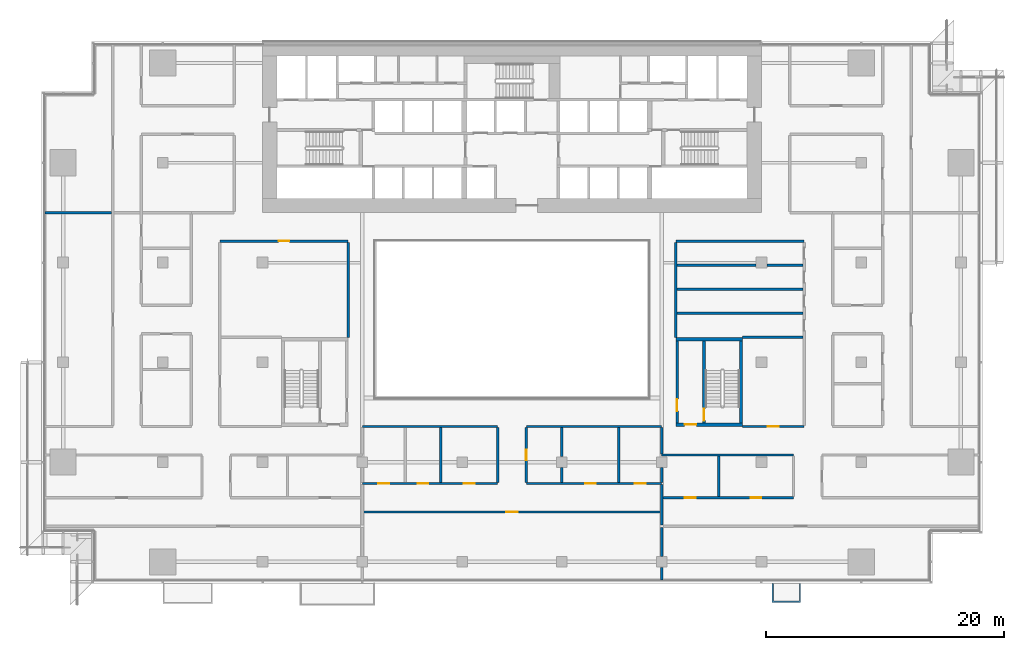
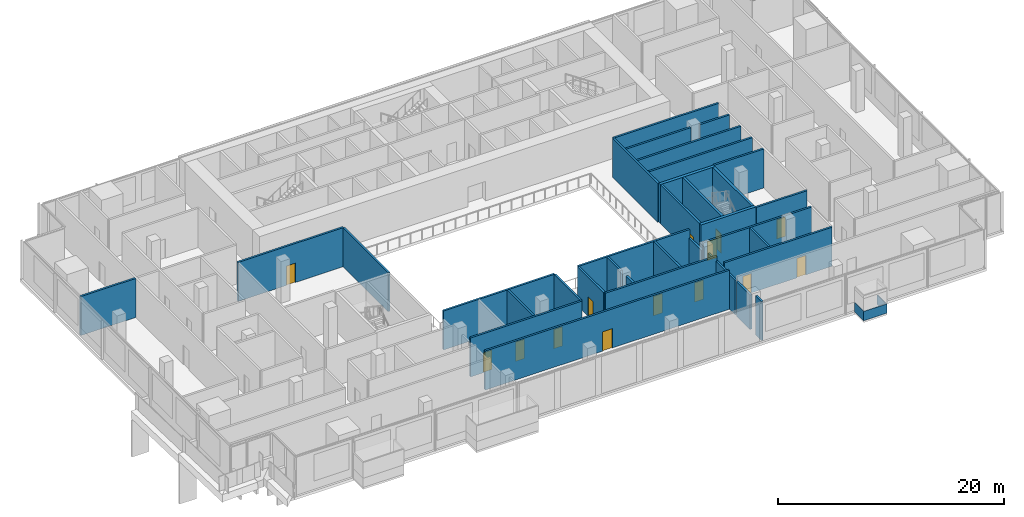
# One storey, part 15 of 23: 36 walls, 14 doors, 14 openings.
"""IFC4 building model written with IfcOpenShell, lengths in metres."""

from ifc_helpers import new_model, si_unit, direction, frame, frame_2d, origin, place, context, subcontext, project, spatial, polyline, rectangle, outline, extrude, material, layer, layer_set, type_object, element, fill, save


model = new_model("IFC4")

# Units and contexts
model_context = context("Model", 3, precision=1e-05, world=origin(), true_north=direction((0.0, 1.0)))
body_context = subcontext(model_context, "Body", "Model", "MODEL_VIEW")
ifc_project = project(units=[si_unit("LENGTHUNIT", "METRE"), si_unit("AREAUNIT", "SQUARE_METRE"), si_unit("VOLUMEUNIT", "CUBIC_METRE"), si_unit("PLANEANGLEUNIT", "RADIAN"), si_unit("MASSUNIT", "GRAM", prefix="KILO")], contexts=[model_context])

# Site, building, storey
site_placement = place(None, origin())
site = spatial("IfcSite", under=ifc_project, at=site_placement, CompositionType="ELEMENT")
building_placement = place(site_placement, origin())
building = spatial("IfcBuilding", under=site, at=building_placement, Name="Saffron Gate Tower", CompositionType="ELEMENT")
storey_placement = place(building_placement, frame((0.0, 0.0, 32.699951171875)))
storey = spatial("IfcBuildingStorey", under=building, at=storey_placement, Name="L06", CompositionType="ELEMENT", Elevation=32.699951171875)

# Wall, opening, door
ifc_material_1 = material(Name="Gypsum board partition on steel studs", Category="steel")
ifc_layer_1 = layer(ifc_material_1, 0.199951171875)
ifc_layer_set_1 = layer_set([ifc_layer_1], Name="CW10 Core partition 200")
wall_type_1 = type_object("IfcWallType", Name="CW10 Core partition 200", PredefinedType="PARTITIONING", material=ifc_layer_set_1)
wall_1_placement = place(storey_placement, frame((101.5, 43.5, 0.0), z_axis=(0.0, 0.0, 1.0), x_axis=(0.0, 1.0, 0.0)))
wall_1 = element("IfcWall", 1, at=wall_1_placement, inside=storey, type_object=wall_type_1, Name="Wall CW10-L06-E-2", PredefinedType="PARTITIONING", context=body_context, shape_type="SweptSolid", body=[
    extrude(rectangle(XDim=6.89990234375, YDim=0.199951171875, at=frame_2d((3.449951171875, 0.0))), origin(), (0.0, 0.0, 1.0), 4.219970703125),
])
opening_1_placement = place(wall_1_placement, frame((1.0, 0.0, 0.0)))
opening_1 = element("IfcOpeningElement", 2, at=opening_1_placement, cuts=wall_1, Name="Opening CR-22", PredefinedType="OPENING", context=body_context, shape_type="SweptSolid", body=[
    extrude(rectangle(XDim=1.0, YDim=2.10009765625, at=frame_2d((0.5, 1.050048828125))), frame((0.0, 0.10986328125, 0.0), z_axis=(0.0, -1.0, 0.0), x_axis=(1.0, 0.0, 0.0)), (0.0, 0.0, 1.0), 0.219970703125),
])
ifc_material_2 = material(Name="Steel fire door set", Category="steel")
door_type_1 = type_object("IfcDoorType", Name="CD4 Lobby door 1000x2100 EI 120", OperationType="NOTDEFINED", PredefinedType="DOOR", material=ifc_material_2)
door_1_placement = place(opening_1_placement, origin())
door_1 = element("IfcDoor", 3, at=door_1_placement, inside=storey, type_object=door_type_1, Name="DOOR CR-22", OperationType="SINGLE_SWING_LEFT", OverallHeight=2.10009765625, OverallWidth=1.0, PredefinedType="DOOR", context=body_context, shape_type="SweptSolid", body=[
    extrude(rectangle(XDim=1.0, YDim=2.10009765625, at=frame_2d((0.5, 1.050048828125))), frame((0.0, 0.02490234375, 0.0), z_axis=(0.0, -1.0, 0.0), x_axis=(1.0, 0.0, 0.0)), (0.0, 0.0, 1.0), 0.050048828125),
])
fill(opening_1, door_1)

ifc_material_3 = material(Name="Concrete C70", Category="concrete")
ifc_layer_2 = layer(ifc_material_3, 0.25)
ifc_layer_set_2 = layer_set([ifc_layer_2], Name="CW2 RC core wall 250 C70")
wall_type_2 = type_object("IfcWallType", Name="CW2 RC core wall 250 C70", PredefinedType="SOLIDWALL", material=ifc_layer_set_2)
wall_2_placement = place(storey_placement, frame((103.77490234375, 43.5, 0.0), z_axis=(0.0, 0.0, 1.0), x_axis=(0.0, 1.0, 0.0)))
wall_2 = element("IfcWall", 4, at=wall_2_placement, inside=storey, type_object=wall_type_2, Name="Wall CW2-L06-E-3", PredefinedType="SOLIDWALL", context=body_context, shape_type="SweptSolid", body=[
    extrude(rectangle(XDim=6.89990234375, YDim=0.25, at=frame_2d((3.449951171875, 0.0))), origin(), (0.0, 0.0, 1.0), 4.219970703125),
])
opening_2_placement = place(wall_2_placement, frame((0.199951171875, 0.0, 0.0)))
opening_2 = element("IfcOpeningElement", 5, at=opening_2_placement, cuts=wall_2, Name="Opening CR-23", PredefinedType="OPENING", context=body_context, shape_type="SweptSolid", body=[
    extrude(rectangle(XDim=1.0, YDim=2.10009765625, at=frame_2d((0.5, 1.050048828125))), frame((0.0, 0.135009765625, 0.0), z_axis=(0.0, -1.0, 0.0), x_axis=(1.0, 0.0, 0.0)), (0.0, 0.0, 1.0), 0.27001953125),
])
door_type_2 = type_object("IfcDoorType", Name="CD5 Stair door 1000x2100 EI 120", OperationType="NOTDEFINED", PredefinedType="DOOR", material=ifc_material_2)
door_2_placement = place(opening_2_placement, origin())
door_2 = element("IfcDoor", 6, at=door_2_placement, inside=storey, type_object=door_type_2, Name="DOOR CR-23", OperationType="SINGLE_SWING_RIGHT", OverallHeight=2.10009765625, OverallWidth=1.0, PredefinedType="DOOR", context=body_context, shape_type="SweptSolid", body=[
    extrude(rectangle(XDim=1.0, YDim=2.10009765625, at=frame_2d((0.5, 1.050048828125))), frame((0.0, 0.02490234375, 0.0), z_axis=(0.0, -1.0, 0.0), x_axis=(1.0, 0.0, 0.0)), (0.0, 0.0, 1.0), 0.050048828125),
])
fill(opening_2, door_2)

# Wall
wall_3_placement = place(storey_placement, frame((106.875, 43.5, 0.0), z_axis=(0.0, 0.0, 1.0), x_axis=(0.0, 1.0, 0.0)))
element("IfcWall", 7, at=wall_3_placement, inside=storey, type_object=wall_type_2, Name="Wall CW2-L06-E-4", PredefinedType="SOLIDWALL", context=body_context, shape_type="SweptSolid", body=[
    extrude(rectangle(XDim=6.89990234375, YDim=0.25, at=frame_2d((3.449951171875, 0.0))), origin(), (0.0, 0.0, 1.0), 4.219970703125),
])

# Wall, opening, door
ifc_layer_3 = layer(ifc_material_3, 0.300048828125)
ifc_layer_set_3 = layer_set([ifc_layer_3], Name="CW5 RC core wall 300 C70")
wall_type_3 = type_object("IfcWallType", Name="CW5 RC core wall 300 C70", PredefinedType="SOLIDWALL", material=ifc_layer_set_3)
wall_4_placement = place(storey_placement, frame((101.39990234375, 43.35009765625, 0.0), z_axis=(0.0, 0.0, 1.0), x_axis=(1.0, 0.0, 0.0)))
wall_4 = element("IfcWall", 8, at=wall_4_placement, inside=storey, type_object=wall_type_3, Name="Wall CW5-L06-E-1", PredefinedType="SOLIDWALL", context=body_context, shape_type="SweptSolid", body=[
    extrude(rectangle(XDim=5.60009765625, YDim=0.300048828125, at=frame_2d((2.800048828125, 0.0))), origin(), (0.0, 0.0, 1.0), 4.219970703125),
])
opening_3_placement = place(wall_4_placement, frame((0.72509765625, 0.0, 0.0)))
opening_3 = element("IfcOpeningElement", 9, at=opening_3_placement, cuts=wall_4, Name="Opening CR-21", PredefinedType="OPENING", context=body_context, shape_type="SweptSolid", body=[
    extrude(rectangle(XDim=1.0, YDim=2.10009765625, at=frame_2d((0.5, 1.050048828125))), frame((0.0, 0.16015625, 0.0), z_axis=(0.0, -1.0, 0.0), x_axis=(1.0, 0.0, 0.0)), (0.0, 0.0, 1.0), 0.320068359375),
])
door_3_placement = place(opening_3_placement, origin())
door_3 = element("IfcDoor", 10, at=door_3_placement, inside=storey, type_object=door_type_1, Name="DOOR CR-21", OperationType="SINGLE_SWING_RIGHT", OverallHeight=2.10009765625, OverallWidth=1.0, PredefinedType="DOOR", context=body_context, shape_type="SweptSolid", body=[
    extrude(rectangle(XDim=1.0, YDim=2.10009765625, at=frame_2d((0.5, 1.050048828125))), frame((0.0, 0.02490234375, 0.0), z_axis=(0.0, -1.0, 0.0), x_axis=(1.0, 0.0, 0.0)), (0.0, 0.0, 1.0), 0.050048828125),
])
fill(opening_3, door_3)

# Walls
wall_5_placement = place(storey_placement, frame((101.39990234375, 50.550048828125, 0.0), z_axis=(0.0, 0.0, 1.0), x_axis=(1.0, 0.0, 0.0)))
element("IfcWall", 11, at=wall_5_placement, inside=storey, type_object=wall_type_3, Name="Wall CW5-L06-E-5", PredefinedType="SOLIDWALL", context=body_context, shape_type="SweptSolid", body=[
    extrude(rectangle(XDim=5.60009765625, YDim=0.300048828125, at=frame_2d((2.800048828125, 0.0))), origin(), (0.0, 0.0, 1.0), 4.219970703125),
])
ifc_material_4 = material(Name="Clay brick masonry, rendered", Category="masonry")
ifc_layer_4 = layer(ifc_material_4, 0.199951171875)
ifc_layer_set_4 = layer_set([ifc_layer_4], Name="PW2 Demising wall 200")
wall_type_4 = type_object("IfcWallType", Name="PW2 Demising wall 200", PredefinedType="PARTITIONING", material=ifc_layer_set_4)
wall_6_placement = place(storey_placement, frame((107.0, 50.699951171875, 0.0), z_axis=(0.0, 0.0, 1.0), x_axis=(1.0, 0.0, 0.0)))
element("IfcWall", 12, at=wall_6_placement, inside=storey, type_object=wall_type_4, Name="Wall S2-26", PredefinedType="PARTITIONING", context=body_context, shape_type="SweptSolid", body=[
    extrude(rectangle(XDim=5.10009765625, YDim=0.199951171875, at=frame_2d((2.550048828125, 0.0))), origin(), (0.0, 0.0, 1.0), 4.219970703125),
])
for number, where, z_axis, x_axis, name in (
    (13, (101.5, 52.72509765625, 0.0), (0.0, 0.0, 1.0), (1.0, 0.0, 0.0), "Wall S2-30"),
    (14, (101.5, 54.75, 0.0), (0.0, 0.0, 1.0), (1.0, 0.0, 0.0), "Wall S2-33"),
):
    element("IfcWall", number, at=place(storey_placement, frame(where, z_axis=z_axis, x_axis=x_axis)), inside=storey, type_object=wall_type_4, Name=name, PredefinedType="PARTITIONING", context=body_context, shape_type="SweptSolid", body=[
        extrude(rectangle(XDim=10.60009765625, YDim=0.199951171875, at=frame_2d((5.300048828125, 0.0))), origin(), (0.0, 0.0, 1.0), 4.219970703125),
    ])
wall_7_placement = place(storey_placement, frame((101.5, 56.77490234375, 0.0), z_axis=(0.0, 0.0, 1.0), x_axis=(1.0, 0.0, 0.0)))
element("IfcWall", 15, at=wall_7_placement, inside=storey, type_object=wall_type_4, Name="Wall S2-34", PredefinedType="PARTITIONING", context=body_context, shape_type="SweptSolid", body=[
    extrude(rectangle(XDim=6.6298828125, YDim=0.199951171875, at=frame_2d((3.31494140625, 0.0))), origin(), (0.0, 0.0, 1.0), 4.219970703125),
])
wall_8_placement = place(storey_placement, frame((109.070068359375, 56.77490234375, 0.0), z_axis=(0.0, 0.0, 1.0), x_axis=(1.0, 0.0, 0.0)))
element("IfcWall", 16, at=wall_8_placement, inside=storey, type_object=wall_type_4, Name="Wall S2-35", PredefinedType="PARTITIONING", context=body_context, shape_type="SweptSolid", body=[
    extrude(rectangle(XDim=3.030029296875, YDim=0.199951171875, at=frame_2d((1.51513671875, 0.0))), origin(), (0.0, 0.0, 1.0), 4.219970703125),
])

# Wall, opening, door
ifc_layer_5 = layer(ifc_material_4, 0.199951171875)
ifc_layer_set_5 = layer_set([ifc_layer_5], Name="PW3 Corridor wall 200")
wall_type_5 = type_object("IfcWallType", Name="PW3 Corridor wall 200", PredefinedType="PARTITIONING", material=ifc_layer_set_5)
wall_9_placement = place(storey_placement, frame((100.10009765625, 36.0, 0.0), z_axis=(0.0, 0.0, 1.0), x_axis=(-1.0, 0.0, 0.0)))
wall_9 = element("IfcWall", 17, at=wall_9_placement, inside=storey, type_object=wall_type_5, Name="Wall S2-3", PredefinedType="PARTITIONING", context=body_context, shape_type="SweptSolid", body=[
    extrude(rectangle(XDim=25.0, YDim=0.199951171875, at=frame_2d((12.5, 0.0))), origin(), (0.0, 0.0, 1.0), 4.219970703125),
])
opening_4_placement = place(wall_9_placement, frame((12.0, 0.0, 0.0)))
opening_4 = element("IfcOpeningElement", 18, at=opening_4_placement, cuts=wall_9, Name="Opening S2-33", PredefinedType="OPENING", context=body_context, shape_type="SweptSolid", body=[
    extrude(rectangle(XDim=1.0, YDim=2.10009765625, at=frame_2d((0.5, 1.050048828125))), frame((0.0, 0.10986328125, 0.0), z_axis=(0.0, -1.0, 0.0), x_axis=(1.0, 0.0, 0.0)), (0.0, 0.0, 1.0), 0.219970703125),
])
ifc_material_5 = material(Name="Timber door set", Category="wood")
door_type_3 = type_object("IfcDoorType", Name="HD1 Hall door 1200x2100", OperationType="NOTDEFINED", PredefinedType="DOOR", material=ifc_material_5)
door_4_placement = place(opening_4_placement, origin())
door_4 = element("IfcDoor", 19, at=door_4_placement, inside=storey, type_object=door_type_3, Name="Door S2-33", OperationType="SINGLE_SWING_RIGHT", OverallHeight=2.10009765625, OverallWidth=1.0, PredefinedType="DOOR", context=body_context, shape_type="SweptSolid", body=[
    extrude(rectangle(XDim=1.0, YDim=2.10009765625, at=frame_2d((0.5, 1.050048828125))), frame((0.0, 0.02490234375, 0.0), z_axis=(0.0, -1.0, 0.0), x_axis=(1.0, 0.0, 0.0)), (0.0, 0.0, 1.0), 0.050048828125),
])
fill(opening_4, door_4)

# Wall, openings, doors
wall_10_placement = place(storey_placement, frame((100.300048828125, 37.199951171875, 0.0), z_axis=(0.0, 0.0, 1.0), x_axis=(1.0, 0.0, 0.0)))
wall_10 = element("IfcWall", 20, at=wall_10_placement, inside=storey, type_object=wall_type_5, Name="Wall S2-6", PredefinedType="PARTITIONING", context=body_context, shape_type="SweptSolid", body=[
    extrude(rectangle(XDim=11.0, YDim=0.199951171875, at=frame_2d((5.5, 0.0))), origin(), (0.0, 0.0, 1.0), 4.219970703125),
])
opening_5_placement = place(wall_10_placement, frame((1.85009765625, 0.0, 0.0)))
opening_5 = element("IfcOpeningElement", 21, at=opening_5_placement, cuts=wall_10, Name="Opening S2-15", PredefinedType="OPENING", context=body_context, shape_type="SweptSolid", body=[
    extrude(rectangle(XDim=0.89990234375, YDim=2.10009765625, at=frame_2d((0.449951171875, 1.050048828125))), frame((0.0, 0.10986328125, 0.0), z_axis=(0.0, -1.0, 0.0), x_axis=(1.0, 0.0, 0.0)), (0.0, 0.0, 1.0), 0.219970703125),
])
opening_6_placement = place(wall_10_placement, frame((7.39990234375, 0.0, 0.0)))
opening_6 = element("IfcOpeningElement", 22, at=opening_6_placement, cuts=wall_10, Name="Opening S2-16", PredefinedType="OPENING", context=body_context, shape_type="SweptSolid", body=[
    extrude(rectangle(XDim=0.89990234375, YDim=2.10009765625, at=frame_2d((0.449951171875, 1.050048828125))), frame((0.0, 0.10986328125, 0.0), z_axis=(0.0, -1.0, 0.0), x_axis=(1.0, 0.0, 0.0)), (0.0, 0.0, 1.0), 0.219970703125),
])
door_type_4 = type_object("IfcDoorType", Name="RD1 Room door 900x2100", OperationType="NOTDEFINED", PredefinedType="DOOR", material=ifc_material_5)
door_5_placement = place(opening_5_placement, origin())
door_5 = element("IfcDoor", 23, at=door_5_placement, inside=storey, type_object=door_type_4, Name="Door S2-15", OperationType="SINGLE_SWING_LEFT", OverallHeight=2.10009765625, OverallWidth=0.89990234375, PredefinedType="DOOR", context=body_context, shape_type="SweptSolid", body=[
    extrude(rectangle(XDim=0.89990234375, YDim=2.10009765625, at=frame_2d((0.449951171875, 1.050048828125))), frame((0.0, 0.02490234375, 0.0), z_axis=(0.0, -1.0, 0.0), x_axis=(1.0, 0.0, 0.0)), (0.0, 0.0, 1.0), 0.050048828125),
])
fill(opening_5, door_5)
door_6_placement = place(opening_6_placement, origin())
door_6 = element("IfcDoor", 24, at=door_6_placement, inside=storey, type_object=door_type_4, Name="Door S2-16", OperationType="SINGLE_SWING_LEFT", OverallHeight=2.10009765625, OverallWidth=0.89990234375, PredefinedType="DOOR", context=body_context, shape_type="SweptSolid", body=[
    extrude(rectangle(XDim=0.89990234375, YDim=2.10009765625, at=frame_2d((0.449951171875, 1.050048828125))), frame((0.0, 0.02490234375, 0.0), z_axis=(0.0, -1.0, 0.0), x_axis=(1.0, 0.0, 0.0)), (0.0, 0.0, 1.0), 0.050048828125),
])
fill(opening_6, door_6)

wall_11_placement = place(storey_placement, frame((75.0, 38.39990234375, 0.0), z_axis=(0.0, 0.0, 1.0), x_axis=(1.0, 0.0, 0.0)))
wall_11 = element("IfcWall", 25, at=wall_11_placement, inside=storey, type_object=wall_type_5, Name="Wall S2-8", PredefinedType="PARTITIONING", context=body_context, shape_type="SweptSolid", body=[
    extrude(rectangle(XDim=11.39990234375, YDim=0.199951171875, at=frame_2d((5.699951171875, 0.0))), origin(), (0.0, 0.0, 1.0), 4.219970703125),
])
opening_7_placement = place(wall_11_placement, frame((1.35009765625, 0.0, 0.0)))
opening_7 = element("IfcOpeningElement", 26, at=opening_7_placement, cuts=wall_11, Name="Opening S2-9", PredefinedType="OPENING", context=body_context, shape_type="SweptSolid", body=[
    extrude(rectangle(XDim=0.89990234375, YDim=2.10009765625, at=frame_2d((0.449951171875, 1.050048828125))), frame((0.0, 0.10986328125, 0.0), z_axis=(0.0, -1.0, 0.0), x_axis=(1.0, 0.0, 0.0)), (0.0, 0.0, 1.0), 0.219970703125),
])
opening_8_placement = place(wall_11_placement, frame((4.64990234375, 0.0, 0.0)))
opening_8 = element("IfcOpeningElement", 27, at=opening_8_placement, cuts=wall_11, Name="Opening S2-10", PredefinedType="OPENING", context=body_context, shape_type="SweptSolid", body=[
    extrude(rectangle(XDim=0.89990234375, YDim=2.10009765625, at=frame_2d((0.449951171875, 1.050048828125))), frame((0.0, 0.10986328125, 0.0), z_axis=(0.0, -1.0, 0.0), x_axis=(1.0, 0.0, 0.0)), (0.0, 0.0, 1.0), 0.219970703125),
])
opening_9_placement = place(wall_11_placement, frame((8.550048828125, 0.0, 0.0)))
opening_9 = element("IfcOpeningElement", 28, at=opening_9_placement, cuts=wall_11, Name="Opening S2-11", PredefinedType="OPENING", context=body_context, shape_type="SweptSolid", body=[
    extrude(rectangle(XDim=0.89990234375, YDim=2.10009765625, at=frame_2d((0.449951171875, 1.050048828125))), frame((0.0, 0.10986328125, 0.0), z_axis=(0.0, -1.0, 0.0), x_axis=(1.0, 0.0, 0.0)), (0.0, 0.0, 1.0), 0.219970703125),
])
door_7_placement = place(opening_7_placement, origin())
door_7 = element("IfcDoor", 29, at=door_7_placement, inside=storey, type_object=door_type_4, Name="Door S2-9", OperationType="SINGLE_SWING_LEFT", OverallHeight=2.10009765625, OverallWidth=0.89990234375, PredefinedType="DOOR", context=body_context, shape_type="SweptSolid", body=[
    extrude(rectangle(XDim=0.89990234375, YDim=2.10009765625, at=frame_2d((0.449951171875, 1.050048828125))), frame((0.0, 0.02490234375, 0.0), z_axis=(0.0, -1.0, 0.0), x_axis=(1.0, 0.0, 0.0)), (0.0, 0.0, 1.0), 0.050048828125),
])
fill(opening_7, door_7)
door_8_placement = place(opening_8_placement, origin())
door_8 = element("IfcDoor", 30, at=door_8_placement, inside=storey, type_object=door_type_4, Name="Door S2-10", OperationType="SINGLE_SWING_LEFT", OverallHeight=2.10009765625, OverallWidth=0.89990234375, PredefinedType="DOOR", context=body_context, shape_type="SweptSolid", body=[
    extrude(rectangle(XDim=0.89990234375, YDim=2.10009765625, at=frame_2d((0.449951171875, 1.050048828125))), frame((0.0, 0.02490234375, 0.0), z_axis=(0.0, -1.0, 0.0), x_axis=(1.0, 0.0, 0.0)), (0.0, 0.0, 1.0), 0.050048828125),
])
fill(opening_8, door_8)
door_9_placement = place(opening_9_placement, origin())
door_9 = element("IfcDoor", 31, at=door_9_placement, inside=storey, type_object=door_type_4, Name="Door S2-11", OperationType="SINGLE_SWING_LEFT", OverallHeight=2.10009765625, OverallWidth=0.89990234375, PredefinedType="DOOR", context=body_context, shape_type="SweptSolid", body=[
    extrude(rectangle(XDim=0.89990234375, YDim=2.10009765625, at=frame_2d((0.449951171875, 1.050048828125))), frame((0.0, 0.02490234375, 0.0), z_axis=(0.0, -1.0, 0.0), x_axis=(1.0, 0.0, 0.0)), (0.0, 0.0, 1.0), 0.050048828125),
])
fill(opening_9, door_9)

wall_12_placement = place(storey_placement, frame((88.800048828125, 38.39990234375, 0.0), z_axis=(0.0, 0.0, 1.0), x_axis=(1.0, 0.0, 0.0)))
wall_12 = element("IfcWall", 32, at=wall_12_placement, inside=storey, type_object=wall_type_5, Name="Wall S2-9", PredefinedType="PARTITIONING", context=body_context, shape_type="SweptSolid", body=[
    extrude(rectangle(XDim=11.39990234375, YDim=0.199951171875, at=frame_2d((5.699951171875, 0.0))), origin(), (0.0, 0.0, 1.0), 4.219970703125),
])
opening_10_placement = place(wall_12_placement, frame((4.949951171875, 0.0, 0.0)))
opening_10 = element("IfcOpeningElement", 33, at=opening_10_placement, cuts=wall_12, Name="Opening S2-13", PredefinedType="OPENING", context=body_context, shape_type="SweptSolid", body=[
    extrude(rectangle(XDim=0.89990234375, YDim=2.10009765625, at=frame_2d((0.449951171875, 1.050048828125))), frame((0.0, 0.10986328125, 0.0), z_axis=(0.0, -1.0, 0.0), x_axis=(1.0, 0.0, 0.0)), (0.0, 0.0, 1.0), 0.219970703125),
])
opening_11_placement = place(wall_12_placement, frame((9.14990234375, 0.0, 0.0)))
opening_11 = element("IfcOpeningElement", 34, at=opening_11_placement, cuts=wall_12, Name="Opening S2-14", PredefinedType="OPENING", context=body_context, shape_type="SweptSolid", body=[
    extrude(rectangle(XDim=0.89990234375, YDim=2.10009765625, at=frame_2d((0.449951171875, 1.050048828125))), frame((0.0, 0.10986328125, 0.0), z_axis=(0.0, -1.0, 0.0), x_axis=(1.0, 0.0, 0.0)), (0.0, 0.0, 1.0), 0.219970703125),
])
door_10_placement = place(opening_10_placement, origin())
door_10 = element("IfcDoor", 35, at=door_10_placement, inside=storey, type_object=door_type_4, Name="Door S2-13", OperationType="SINGLE_SWING_RIGHT", OverallHeight=2.10009765625, OverallWidth=0.89990234375, PredefinedType="DOOR", context=body_context, shape_type="SweptSolid", body=[
    extrude(rectangle(XDim=0.89990234375, YDim=2.10009765625, at=frame_2d((0.449951171875, 1.050048828125))), frame((0.0, 0.02490234375, 0.0), z_axis=(0.0, -1.0, 0.0), x_axis=(1.0, 0.0, 0.0)), (0.0, 0.0, 1.0), 0.050048828125),
])
fill(opening_10, door_10)
door_11_placement = place(opening_11_placement, origin())
door_11 = element("IfcDoor", 36, at=door_11_placement, inside=storey, type_object=door_type_4, Name="Door S2-14", OperationType="SINGLE_SWING_LEFT", OverallHeight=2.10009765625, OverallWidth=0.89990234375, PredefinedType="DOOR", context=body_context, shape_type="SweptSolid", body=[
    extrude(rectangle(XDim=0.89990234375, YDim=2.10009765625, at=frame_2d((0.449951171875, 1.050048828125))), frame((0.0, 0.02490234375, 0.0), z_axis=(0.0, -1.0, 0.0), x_axis=(1.0, 0.0, 0.0)), (0.0, 0.0, 1.0), 0.050048828125),
])
fill(opening_11, door_11)

# Walls
wall_13_placement = place(storey_placement, frame((100.199951171875, 40.800048828125, 0.0), z_axis=(0.0, 0.0, 1.0), x_axis=(1.0, 0.0, 0.0)))
element("IfcWall", 37, at=wall_13_placement, inside=storey, type_object=wall_type_5, Name="Wall S2-13", PredefinedType="PARTITIONING", context=body_context, shape_type="SweptSolid", body=[
    extrude(rectangle(XDim=11.10009765625, YDim=0.199951171875, at=frame_2d((5.550048828125, 0.0))), origin(), (0.0, 0.0, 1.0), 4.219970703125),
])
for number, where, z_axis, x_axis, name in (
    (38, (75.0, 43.199951171875, 0.0), (0.0, 0.0, 1.0), (1.0, 0.0, 0.0), "Wall S2-19"),
    (39, (88.800048828125, 43.199951171875, 0.0), (0.0, 0.0, 1.0), (1.0, 0.0, 0.0), "Wall S2-20"),
):
    element("IfcWall", number, at=place(storey_placement, frame(where, z_axis=z_axis, x_axis=x_axis)), inside=storey, type_object=wall_type_5, Name=name, PredefinedType="PARTITIONING", context=body_context, shape_type="SweptSolid", body=[
        extrude(rectangle(XDim=11.39990234375, YDim=0.199951171875, at=frame_2d((5.699951171875, 0.0))), origin(), (0.0, 0.0, 1.0), 4.219970703125),
    ])

# Wall, opening, door
wall_14_placement = place(storey_placement, frame((107.0, 43.199951171875, 0.0), z_axis=(0.0, 0.0, 1.0), x_axis=(1.0, 0.0, 0.0)))
wall_14 = element("IfcWall", 40, at=wall_14_placement, inside=storey, type_object=wall_type_5, Name="Wall S2-21", PredefinedType="PARTITIONING", context=body_context, shape_type="SweptSolid", body=[
    extrude(rectangle(XDim=5.199951171875, YDim=0.199951171875, at=frame_2d((2.60009765625, 0.0))), origin(), (0.0, 0.0, 1.0), 4.219970703125),
])
opening_12_placement = place(wall_14_placement, frame((2.14990234375, 0.0, 0.0)))
opening_12 = element("IfcOpeningElement", 41, at=opening_12_placement, cuts=wall_14, Name="Opening S2-30", PredefinedType="OPENING", context=body_context, shape_type="SweptSolid", body=[
    extrude(rectangle(XDim=0.89990234375, YDim=2.10009765625, at=frame_2d((0.449951171875, 1.050048828125))), frame((0.0, 0.10986328125, 0.0), z_axis=(0.0, -1.0, 0.0), x_axis=(1.0, 0.0, 0.0)), (0.0, 0.0, 1.0), 0.219970703125),
])
door_type_5 = type_object("IfcDoorType", Name="SD1 Service door 900x2100", OperationType="NOTDEFINED", PredefinedType="DOOR", material=ifc_material_2)
door_12_placement = place(opening_12_placement, origin())
door_12 = element("IfcDoor", 42, at=door_12_placement, inside=storey, type_object=door_type_5, Name="Door S2-30", OperationType="SINGLE_SWING_LEFT", OverallHeight=2.10009765625, OverallWidth=0.89990234375, PredefinedType="DOOR", context=body_context, shape_type="SweptSolid", body=[
    extrude(rectangle(XDim=0.89990234375, YDim=2.10009765625, at=frame_2d((0.449951171875, 1.050048828125))), frame((0.0, 0.02490234375, 0.0), z_axis=(0.0, -1.0, 0.0), x_axis=(1.0, 0.0, 0.0)), (0.0, 0.0, 1.0), 0.050048828125),
])
fill(opening_12, door_12)

wall_15_placement = place(storey_placement, frame((73.800048828125, 58.800048828125, 0.0), z_axis=(0.0, 0.0, 1.0), x_axis=(-1.0, 0.0, 0.0)))
wall_15 = element("IfcWall", 43, at=wall_15_placement, inside=storey, type_object=wall_type_5, Name="Wall S2-38", PredefinedType="PARTITIONING", context=body_context, shape_type="SweptSolid", body=[
    extrude(rectangle(XDim=10.800048828125, YDim=0.199951171875, at=frame_2d((5.39990234375, 0.0))), origin(), (0.0, 0.0, 1.0), 4.219970703125),
])
opening_13_placement = place(wall_15_placement, frame((4.949951171875, 0.0, 0.0)))
opening_13 = element("IfcOpeningElement", 44, at=opening_13_placement, cuts=wall_15, Name="Opening S2-5", PredefinedType="OPENING", context=body_context, shape_type="SweptSolid", body=[
    extrude(rectangle(XDim=0.89990234375, YDim=2.10009765625, at=frame_2d((0.449951171875, 1.050048828125))), frame((0.0, 0.10986328125, 0.0), z_axis=(0.0, -1.0, 0.0), x_axis=(1.0, 0.0, 0.0)), (0.0, 0.0, 1.0), 0.219970703125),
])
door_13_placement = place(opening_13_placement, origin())
door_13 = element("IfcDoor", 45, at=door_13_placement, inside=storey, type_object=door_type_4, Name="Door S2-5", OperationType="SINGLE_SWING_LEFT", OverallHeight=2.10009765625, OverallWidth=0.89990234375, PredefinedType="DOOR", context=body_context, shape_type="SweptSolid", body=[
    extrude(rectangle(XDim=0.89990234375, YDim=2.10009765625, at=frame_2d((0.449951171875, 1.050048828125))), frame((0.0, 0.02490234375, 0.0), z_axis=(0.0, -1.0, 0.0), x_axis=(1.0, 0.0, 0.0)), (0.0, 0.0, 1.0), 0.050048828125),
])
fill(opening_13, door_13)

# Walls
wall_16_placement = place(storey_placement, frame((101.39990234375, 58.800048828125, 0.0), z_axis=(0.0, 0.0, 1.0), x_axis=(1.0, 0.0, 0.0)))
element("IfcWall", 46, at=wall_16_placement, inside=storey, type_object=wall_type_5, Name="Wall S2-39", PredefinedType="PARTITIONING", context=body_context, shape_type="SweptSolid", body=[
    extrude(rectangle(XDim=10.800048828125, YDim=0.199951171875, at=frame_2d((5.39990234375, 0.0))), origin(), (0.0, 0.0, 1.0), 4.219970703125),
])
wall_17_placement = place(storey_placement, frame((73.800048828125, 58.699951171875, 0.0), z_axis=(0.0, 0.0, 1.0), x_axis=(0.0, -1.0, 0.0)))
element("IfcWall", 47, at=wall_17_placement, inside=storey, type_object=wall_type_5, Name="Wall S2-64", PredefinedType="PARTITIONING", context=body_context, shape_type="SweptSolid", body=[
    extrude(rectangle(XDim=8.0, YDim=0.199951171875, at=frame_2d((4.0, 0.0))), origin(), (0.0, 0.0, 1.0), 4.219970703125),
])
wall_18_placement = place(storey_placement, frame((86.39990234375, 43.10009765625, 0.0), z_axis=(0.0, 0.0, 1.0), x_axis=(0.0, -1.0, 0.0)))
element("IfcWall", 48, at=wall_18_placement, inside=storey, type_object=wall_type_5, Name="Wall S2-72", PredefinedType="PARTITIONING", context=body_context, shape_type="SweptSolid", body=[
    extrude(rectangle(XDim=4.60009765625, YDim=0.199951171875, at=frame_2d((2.300048828125, 0.0))), origin(), (0.0, 0.0, 1.0), 4.219970703125),
])

# Wall, opening, door
wall_19_placement = place(storey_placement, frame((88.800048828125, 43.10009765625, 0.0), z_axis=(0.0, 0.0, 1.0), x_axis=(0.0, -1.0, 0.0)))
wall_19 = element("IfcWall", 49, at=wall_19_placement, inside=storey, type_object=wall_type_5, Name="Wall S2-73", PredefinedType="PARTITIONING", context=body_context, shape_type="SweptSolid", body=[
    extrude(rectangle(XDim=4.60009765625, YDim=0.199951171875, at=frame_2d((2.300048828125, 0.0))), origin(), (0.0, 0.0, 1.0), 4.219970703125),
])
opening_14_placement = place(wall_19_placement, frame((1.85009765625, 0.0, 0.0)))
opening_14 = element("IfcOpeningElement", 50, at=opening_14_placement, cuts=wall_19, Name="Opening S2-12", PredefinedType="OPENING", context=body_context, shape_type="SweptSolid", body=[
    extrude(rectangle(XDim=0.89990234375, YDim=2.10009765625, at=frame_2d((0.449951171875, 1.050048828125))), frame((0.0, 0.10986328125, 0.0), z_axis=(0.0, -1.0, 0.0), x_axis=(1.0, 0.0, 0.0)), (0.0, 0.0, 1.0), 0.219970703125),
])
door_14_placement = place(opening_14_placement, origin())
door_14 = element("IfcDoor", 51, at=door_14_placement, inside=storey, type_object=door_type_4, Name="Door S2-12", OperationType="SINGLE_SWING_RIGHT", OverallHeight=2.10009765625, OverallWidth=0.89990234375, PredefinedType="DOOR", context=body_context, shape_type="SweptSolid", body=[
    extrude(rectangle(XDim=0.89990234375, YDim=2.10009765625, at=frame_2d((0.449951171875, 1.050048828125))), frame((0.0, 0.02490234375, 0.0), z_axis=(0.0, -1.0, 0.0), x_axis=(1.0, 0.0, 0.0)), (0.0, 0.0, 1.0), 0.050048828125),
])
fill(opening_14, door_14)

# Walls
wall_20_placement = place(storey_placement, frame((100.199951171875, 38.300048828125, 0.0), z_axis=(0.0, 0.0, 1.0), x_axis=(0.0, -1.0, 0.0)))
element("IfcWall", 52, at=wall_20_placement, inside=storey, type_object=wall_type_5, Name="Wall S2-77", PredefinedType="PARTITIONING", context=body_context, shape_type="SweptSolid", body=[
    extrude(rectangle(XDim=3.400146484375, YDim=0.199951171875, at=frame_2d((1.7001953125, 0.0))), origin(), (0.0, 0.0, 1.0), 3.72998046875),
])
wall_21_placement = place(storey_placement, frame((100.199951171875, 43.10009765625, 0.0), z_axis=(0.0, 0.0, 1.0), x_axis=(0.0, -1.0, 0.0)))
element("IfcWall", 53, at=wall_21_placement, inside=storey, type_object=wall_type_5, Name="Wall S2-78", PredefinedType="PARTITIONING", context=body_context, shape_type="SweptSolid", body=[
    extrude(rectangle(XDim=2.2001953125, YDim=0.199951171875, at=frame_2d((1.10009765625, 0.0))), origin(), (0.0, 0.0, 1.0), 3.330078125),
])
wall_22_placement = place(storey_placement, frame((101.39990234375, 58.699951171875, 0.0), z_axis=(0.0, 0.0, 1.0), x_axis=(0.0, -1.0, 0.0)))
element("IfcWall", 54, at=wall_22_placement, inside=storey, type_object=wall_type_5, Name="Wall S2-82", PredefinedType="PARTITIONING", context=body_context, shape_type="SweptSolid", body=[
    extrude(rectangle(XDim=8.0, YDim=0.199951171875, at=frame_2d((4.0, 0.0))), origin(), (0.0, 0.0, 1.0), 4.219970703125),
])
ifc_layer_6 = layer(ifc_material_4, 0.199951171875)
ifc_layer_set_6 = layer_set([ifc_layer_6], Name="PW5 Room wall 200")
wall_type_6 = type_object("IfcWallType", Name="PW5 Room wall 200", PredefinedType="PARTITIONING", material=ifc_layer_set_6)
wall_23_placement = place(storey_placement, frame((48.280029296875, 61.199951171875, 0.0), z_axis=(0.0, 0.0, 1.0), x_axis=(1.0, 0.0, 0.0)))
element("IfcWall", 55, at=wall_23_placement, inside=storey, type_object=wall_type_6, Name="Wall S2-44", PredefinedType="PARTITIONING", context=body_context, shape_type="SweptSolid", body=[
    extrude(rectangle(XDim=5.619873046875, YDim=0.199951171875, at=frame_2d((2.81005859375, 0.0))), origin(), (0.0, 0.0, 1.0), 4.219970703125),
])
wall_24_placement = place(storey_placement, frame((81.60009765625, 43.10009765625, 0.0), z_axis=(0.0, 0.0, 1.0), x_axis=(0.0, -1.0, 0.0)))
element("IfcWall", 56, at=wall_24_placement, inside=storey, type_object=wall_type_6, Name="Wall S2-71", PredefinedType="PARTITIONING", context=body_context, shape_type="SweptSolid", body=[
    extrude(rectangle(XDim=4.60009765625, YDim=0.199951171875, at=frame_2d((2.300048828125, 0.0))), origin(), (0.0, 0.0, 1.0), 4.219970703125),
])
wall_25_placement = place(storey_placement, frame((91.800048828125, 39.72998046875, 0.0), z_axis=(0.0, 0.0, 1.0), x_axis=(0.0, -1.0, 0.0)))
element("IfcWall", 57, at=wall_25_placement, inside=storey, type_object=wall_type_6, Name="Wall S2-74", PredefinedType="PARTITIONING", context=body_context, shape_type="SweptSolid", body=[
    extrude(rectangle(XDim=1.22998046875, YDim=0.199951171875, at=frame_2d((0.614990234375, 0.0))), origin(), (0.0, 0.0, 1.0), 4.219970703125),
])
wall_26_placement = place(storey_placement, frame((91.800048828125, 43.10009765625, 0.0), z_axis=(0.0, 0.0, 1.0), x_axis=(0.0, -1.0, 0.0)))
element("IfcWall", 58, at=wall_26_placement, inside=storey, type_object=wall_type_6, Name="Wall S2-75", PredefinedType="PARTITIONING", context=body_context, shape_type="SweptSolid", body=[
    extrude(rectangle(XDim=2.43017578125, YDim=0.199951171875, at=frame_2d((1.215087890625, 0.0))), origin(), (0.0, 0.0, 1.0), 4.219970703125),
])
wall_27_placement = place(storey_placement, frame((96.60009765625, 43.10009765625, 0.0), z_axis=(0.0, 0.0, 1.0), x_axis=(0.0, -1.0, 0.0)))
element("IfcWall", 59, at=wall_27_placement, inside=storey, type_object=wall_type_6, Name="Wall S2-76", PredefinedType="PARTITIONING", context=body_context, shape_type="SweptSolid", body=[
    extrude(rectangle(XDim=4.60009765625, YDim=0.199951171875, at=frame_2d((2.300048828125, 0.0))), origin(), (0.0, 0.0, 1.0), 4.219970703125),
])
wall_28_placement = place(storey_placement, frame((100.199951171875, 31.330078125, 0.0), z_axis=(0.0, 0.0, 1.0), x_axis=(0.0, -1.0, 0.0)))
element("IfcWall", 60, at=wall_28_placement, inside=storey, type_object=wall_type_6, Name="Wall S2-79", PredefinedType="PARTITIONING", context=body_context, shape_type="SweptSolid", body=[
    extrude(rectangle(XDim=1.050048828125, YDim=0.199951171875, at=frame_2d((0.52490234375, 0.0))), origin(), (0.0, 0.0, 1.0), 4.219970703125),
])
wall_29_placement = place(storey_placement, frame((100.199951171875, 34.699951171875, 0.0), z_axis=(0.0, 0.0, 1.0), x_axis=(0.0, -1.0, 0.0)))
element("IfcWall", 61, at=wall_29_placement, inside=storey, type_object=wall_type_6, Name="Wall S2-80", PredefinedType="PARTITIONING", context=body_context, shape_type="SweptSolid", body=[
    extrude(rectangle(XDim=2.429931640625, YDim=0.199951171875, at=frame_2d((1.21484375, 0.0))), origin(), (0.0, 0.0, 1.0), 3.72998046875),
])
wall_30_placement = place(storey_placement, frame((100.199951171875, 39.72998046875, 0.0), z_axis=(0.0, 0.0, 1.0), x_axis=(0.0, -1.0, 0.0)))
element("IfcWall", 62, at=wall_30_placement, inside=storey, type_object=wall_type_6, Name="Wall S2-81", PredefinedType="PARTITIONING", context=body_context, shape_type="SweptSolid", body=[
    extrude(rectangle(XDim=1.22998046875, YDim=0.199951171875, at=frame_2d((0.614990234375, 0.0))), origin(), (0.0, 0.0, 1.0), 3.72998046875),
])
wall_31_placement = place(storey_placement, frame((105.0, 40.699951171875, 0.0), z_axis=(0.0, 0.0, 1.0), x_axis=(0.0, -1.0, 0.0)))
element("IfcWall", 63, at=wall_31_placement, inside=storey, type_object=wall_type_6, Name="Wall S2-83", PredefinedType="PARTITIONING", context=body_context, shape_type="SweptSolid", body=[
    extrude(rectangle(XDim=3.39990234375, YDim=0.199951171875, at=frame_2d((1.699951171875, 0.0))), origin(), (0.0, 0.0, 1.0), 4.219970703125),
])
ifc_material_6 = material(Name="Glazed ceramic tile, turquoise")
ifc_layer_7 = layer(ifc_material_6, 0.10009765625)
ifc_layer_set_7 = layer_set([ifc_layer_7], Name="WB4 box parapet tile blue")
wall_type_7 = type_object("IfcWallType", Name="WB4 box parapet tile blue", PredefinedType="SOLIDWALL", material=ifc_layer_set_7)
wall_32_placement = place(storey_placement, origin())
element("IfcWall", 64, at=wall_32_placement, inside=storey, type_object=wall_type_7, Name="WINDOW BOX parapet", PredefinedType="SOLIDWALL", context=body_context, shape_type="SweptSolid", body=[
    extrude(outline(polyline([(109.5, 30.0), (109.60009765625, 30.0), (109.60009765625, 28.5), (111.800048828125, 28.5), (111.800048828125, 30.0), (111.89990234375, 30.0), (111.89990234375, 28.39990234375), (109.5, 28.39990234375), (109.5, 30.0)])), origin(), (0.0, 0.0, 1.0), 1.0),
])

save(model, "model.ifc")
